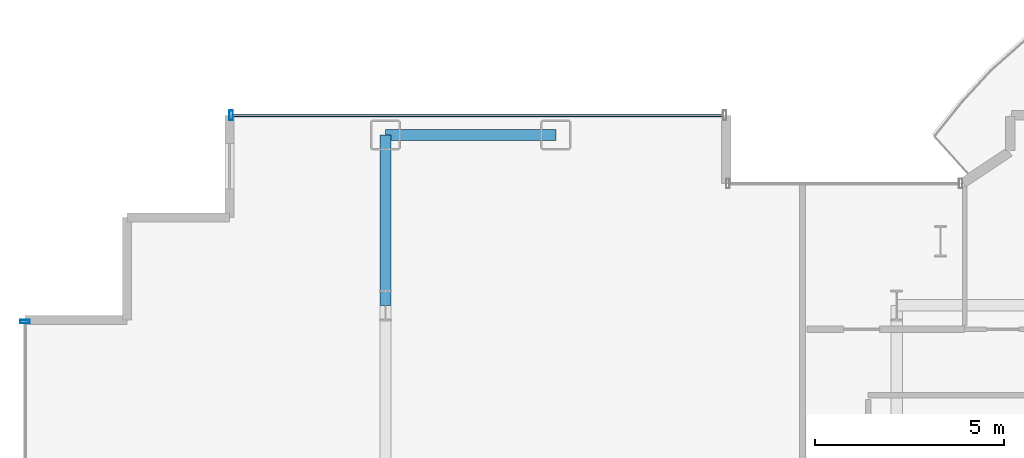
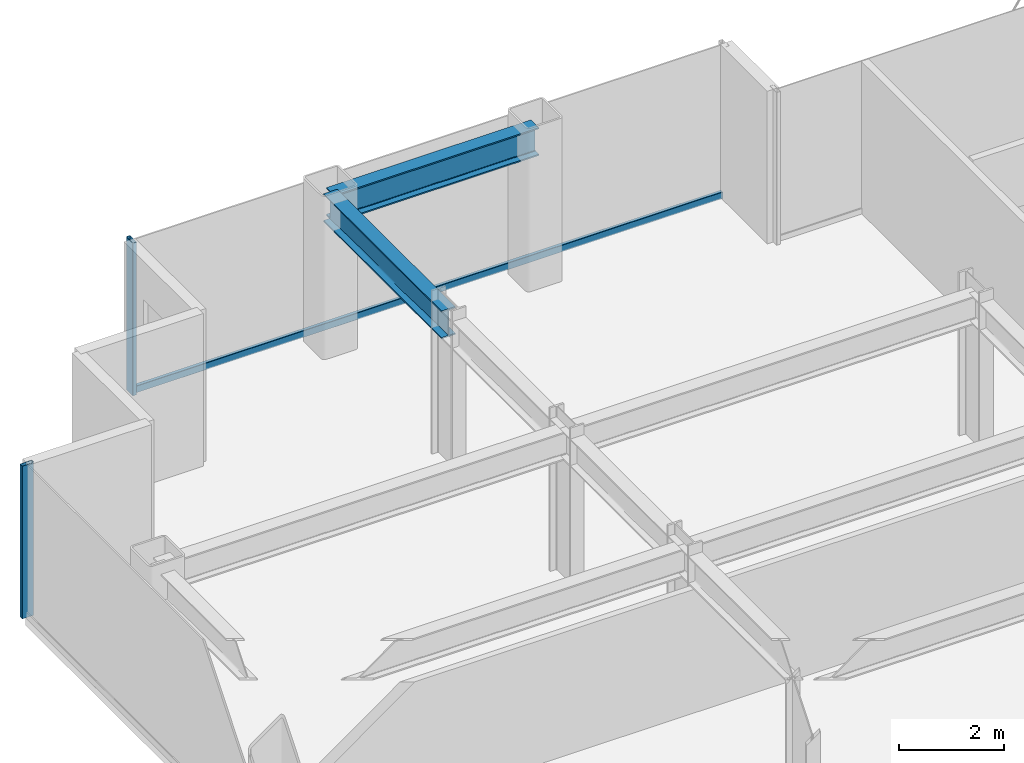
# One storey, part 10 of 22: 3 members, 2 beams, 2 elements without a shape of their own.
"""IFC4 building model written with IfcOpenShell, lengths in metres."""

from ifc_helpers import new_model, si_unit, direction, frame, origin, origin_2d, place, context, subcontext, project, spatial, hollow_rectangle, i_section, extrude, source, transform, mapped, material, layer, layer_set, material_profile, profile_set, type_object, element, aggregate, save


model = new_model("IFC4")

# Units and contexts
model_context = context("Model", 3, precision=1e-05, world=origin(), true_north=direction((0.0, 1.0)))
body_context = subcontext(model_context, "Body", "Model", "MODEL_VIEW")
ifc_project = project(units=[si_unit("LENGTHUNIT", "METRE"), si_unit("AREAUNIT", "SQUARE_METRE"), si_unit("VOLUMEUNIT", "CUBIC_METRE"), si_unit("PLANEANGLEUNIT", "RADIAN"), si_unit("MASSUNIT", "GRAM", prefix="KILO")], contexts=[model_context])

# Site, building, storey
site_placement = place(None, origin())
site = spatial("IfcSite", under=ifc_project, at=site_placement, CompositionType="ELEMENT")
building_placement = place(site_placement, origin())
building = spatial("IfcBuilding", under=site, at=building_placement, Name="Nefas-Gora Pilgrimage Tower", CompositionType="ELEMENT")
storey_placement = place(building_placement, frame((0.0, 0.0, 179.199951171875)))
storey = spatial("IfcBuildingStorey", under=building, at=storey_placement, Name="L44", CompositionType="ELEMENT", Elevation=179.199951171875)

# Beams
ifc_material_1 = material(Name="Steel S355", Category="steel")
ifc_material_profile_1 = material_profile(ifc_material_1, i_section(OverallWidth=0.300048828125, OverallDepth=0.64990234375, WebThickness=0.01611328125, FlangeThickness=0.031005859375, FilletRadius=0.027099609375, at=origin_2d()), Name="HEB 650")
ifc_profile_set_1 = profile_set([ifc_material_profile_1], Name="Steel S355")
beam_type_1 = type_object("IfcBeamType", Name="BM-SPN-HEB500", PredefinedType="SPANDREL", material=ifc_profile_set_1)
shared_shape_1 = source(origin(), body_context, "Body", "SweptSolid", [
    extrude(i_section(OverallWidth=0.300048828125, OverallDepth=0.64990234375, WebThickness=0.01611328125, FlangeThickness=0.031005859375, FilletRadius=0.027099609375, at=origin_2d()), origin(), (0.0, 0.0, 1.0), 4.5),
])
beam_1_placement = place(storey_placement, frame((-24.75, 22.5, 3.22509765625), z_axis=(1.0, 0.0, 0.0), x_axis=(0.0, 1.0, 0.0)))
element("IfcBeam", 1, at=beam_1_placement, inside=storey, type_object=beam_type_1, Name="L44 SP-02 beam", PredefinedType="SPANDREL", context=body_context, shape_type="MappedRepresentation", body=[
    mapped(shared_shape_1, transform((0.0, 0.0, 0.0), x_axis=(1.0, 0.0, 0.0), y_axis=(0.0, 1.0, 0.0), z_axis=(0.0, 0.0, 1.0), scale=1.0)),
])
ifc_material_profile_2 = material_profile(ifc_material_1, i_section(OverallWidth=0.300048828125, OverallDepth=0.64990234375, WebThickness=0.01611328125, FlangeThickness=0.031005859375, FilletRadius=0.027099609375, at=origin_2d()), Name="HEB 650")
ifc_profile_set_2 = profile_set([ifc_material_profile_2], Name="Steel S355")
beam_type_2 = type_object("IfcBeamType", Name="BM-GIR-HEB650", PredefinedType="BEAM", material=ifc_profile_set_2)
shared_shape_2 = source(origin(), body_context, "Body", "SweptSolid", [
    extrude(i_section(OverallWidth=0.300048828125, OverallDepth=0.64990234375, WebThickness=0.01611328125, FlangeThickness=0.031005859375, FilletRadius=0.027099609375, at=origin_2d()), origin(), (0.0, 0.0, 1.0), 4.5),
])
beam_2_placement = place(storey_placement, frame((-24.75, 18.0, 3.22509765625), z_axis=(0.0, 1.0, 0.0), x_axis=(-1.0, 0.0, 0.0)))
element("IfcBeam", 2, at=beam_2_placement, inside=storey, type_object=beam_type_2, Name="L44 G-03 beam", PredefinedType="BEAM", context=body_context, shape_type="MappedRepresentation", body=[
    mapped(shared_shape_2, transform((0.0, 0.0, 0.0), x_axis=(1.0, 0.0, 0.0), y_axis=(0.0, 1.0, 0.0), z_axis=(0.0, 0.0, 1.0), scale=1.0)),
])

# Curtain wall, member
ifc_material_2 = material(Name="Dark ceramic-fritted solar-control aluminium-glass curtain wall", Category="aluminium")
ifc_layer = layer(ifc_material_2, 0.219970703125)
ifc_layer_set = layer_set([ifc_layer], Name="Dark ceramic-fritted solar-control aluminium-glass curtain wall")
curtain_wall_type = type_object("IfcCurtainWallType", Name="CW-SYS-3", PredefinedType="NOTDEFINED", material=ifc_layer_set)
curtain_wall_1_placement = place(storey_placement, origin())
curtain_wall_1 = element("IfcCurtainWall", 3, at=curtain_wall_1_placement, inside=storey, type_object=curtain_wall_type, Name="L44 Unitised Curtain Wall CW3", PredefinedType="NOTDEFINED")
ifc_material_3 = material(Name="Anodised architectural aluminium", Category="aluminium")
ifc_material_profile_3 = material_profile(ifc_material_3, hollow_rectangle(XDim=0.090087890625, YDim=0.260009765625, WallThickness=0.006103515625, InnerFilletRadius=0.006103515625, OuterFilletRadius=0.011962890625, at=origin_2d()), Name="ALU MULLION 90x260")
ifc_profile_set_3 = profile_set([ifc_material_profile_3], Name="Anodised architectural aluminium")
member_type_1 = type_object("IfcMemberType", Name="CWM-MUL-3", PredefinedType="MULLION", material=ifc_profile_set_3)
shared_shape_3 = source(origin(), body_context, "Body", "SweptSolid", [
    extrude(hollow_rectangle(XDim=0.090087890625, YDim=0.260009765625, WallThickness=0.006103515625, InnerFilletRadius=0.006103515625, OuterFilletRadius=0.011962890625, at=origin_2d()), origin(), (0.0, 0.0, 1.0), 3.550048828125),
])
member_1_placement = place(storey_placement, frame((-28.824951171875, 23.02001953125, 0.0), z_axis=(0.0, 0.0, 1.0), x_axis=(-1.0, 0.0, 0.0)))
member_1 = element("IfcMember", 4, at=member_1_placement, type_object=member_type_1, Name="CW3 Mullion 2", PredefinedType="MULLION", context=body_context, shape_type="MappedRepresentation", body=[
    mapped(shared_shape_3, transform((0.0, 0.0, 0.0), x_axis=(1.0, 0.0, 0.0), y_axis=(0.0, 1.0, 0.0), z_axis=(0.0, 0.0, 1.0), scale=1.0)),
])

curtain_wall_2_placement = place(storey_placement, origin())
curtain_wall_2 = element("IfcCurtainWall", 5, at=curtain_wall_2_placement, inside=storey, type_object=curtain_wall_type, Name="L44 Unitised Curtain Wall CW3", PredefinedType="NOTDEFINED")
member_2_placement = place(storey_placement, frame((-34.27001953125, 17.574951171875, 0.0), z_axis=(0.0, 0.0, 1.0), x_axis=(0.0, -1.0, 0.0)))
member_2 = element("IfcMember", 6, at=member_2_placement, type_object=member_type_1, Name="CW3 Mullion 1", PredefinedType="MULLION", context=body_context, shape_type="MappedRepresentation", body=[
    mapped(shared_shape_3, transform((0.0, 0.0, 0.0), x_axis=(1.0, 0.0, 0.0), y_axis=(0.0, 1.0, 0.0), z_axis=(0.0, 0.0, 1.0), scale=1.0)),
])
aggregate(curtain_wall_2, [member_2])

# Member
ifc_material_profile_4 = material_profile(ifc_material_3, hollow_rectangle(XDim=0.080078125, YDim=0.159912109375, WallThickness=0.00439453125, InnerFilletRadius=0.00439453125, OuterFilletRadius=0.009033203125, at=origin_2d()), Name="ALU TRANSOM 80x160")
ifc_profile_set_4 = profile_set([ifc_material_profile_4], Name="Anodised architectural aluminium")
member_type_2 = type_object("IfcMemberType", Name="CWM-TRN-3", PredefinedType="USERDEFINED", material=ifc_profile_set_4)
shared_shape_4 = source(origin(), body_context, "Body", "SweptSolid", [
    extrude(hollow_rectangle(XDim=0.080078125, YDim=0.159912109375, WallThickness=0.00439453125, InnerFilletRadius=0.00439453125, OuterFilletRadius=0.009033203125, at=origin_2d()), origin(), (0.0, 0.0, 1.0), 12.93994140625),
])
member_3_placement = place(storey_placement, frame((-15.840087890625, 23.02001953125, 0.050048828125), z_axis=(-1.0, 0.0, 0.0), x_axis=(0.0, -1.0, 0.0)))
member_3 = element("IfcMember", 7, at=member_3_placement, type_object=member_type_2, Name="CW3 Spandrel Transom", ObjectType="TRANSOM", PredefinedType="USERDEFINED", context=body_context, shape_type="MappedRepresentation", body=[
    mapped(shared_shape_4, transform((0.0, 0.0, 0.0), x_axis=(1.0, 0.0, 0.0), y_axis=(0.0, 1.0, 0.0), z_axis=(0.0, 0.0, 1.0), scale=1.0)),
])

aggregate(curtain_wall_1, [member_1, member_3])

save(model, "model.ifc")
